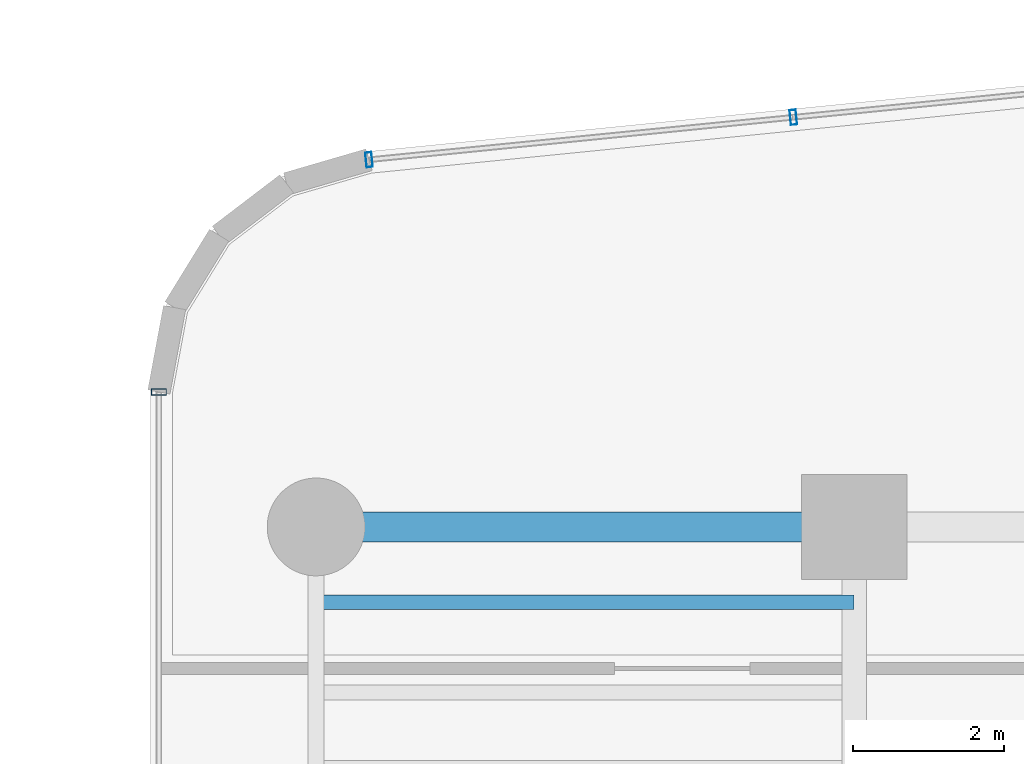
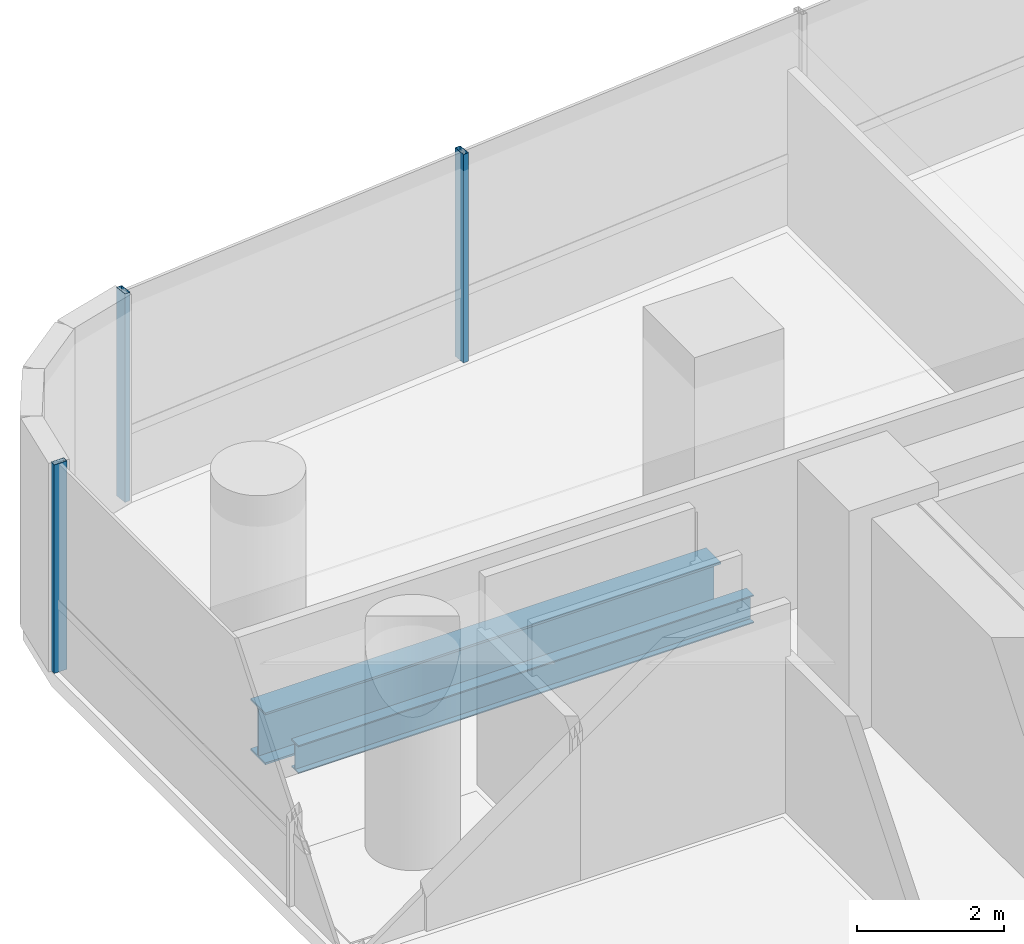
# One storey, part 18 of 41: 3 members, 2 beams, 2 elements without a shape of their own.
"""IFC4 building model written with IfcOpenShell, lengths in metres."""

from ifc_helpers import new_model, si_unit, direction, frame, origin, origin_2d, place, context, subcontext, project, spatial, hollow_rectangle, i_section, extrude, source, transform, mapped, material, material_profile, profile_set, type_object, element, aggregate, save


model = new_model("IFC4")

# Units and contexts
model_context = context("Model", 3, precision=1e-05, world=origin(), true_north=direction((0.0, 1.0)))
body_context = subcontext(model_context, "Body", "Model", "MODEL_VIEW")
ifc_project = project(units=[si_unit("LENGTHUNIT", "METRE"), si_unit("AREAUNIT", "SQUARE_METRE"), si_unit("VOLUMEUNIT", "CUBIC_METRE"), si_unit("PLANEANGLEUNIT", "RADIAN"), si_unit("MASSUNIT", "GRAM", prefix="KILO")], contexts=[model_context])

# Site, building, storey
site_placement = place(None, origin())
site = spatial("IfcSite", under=ifc_project, at=site_placement, CompositionType="ELEMENT")
building_placement = place(site_placement, origin())
building = spatial("IfcBuilding", under=site, at=building_placement, Name="Valdorenza Pilgrim Sanctuary Tower", CompositionType="ELEMENT")
storey_placement = place(building_placement, frame((0.0, 0.0, 63.0)))
storey = spatial("IfcBuildingStorey", under=building, at=storey_placement, Name="L15", CompositionType="ELEMENT", Elevation=63.0)

# Beams
ifc_material_1 = material(Name="Steel ASTM A992 Grade 50", Category="steel")
ifc_material_profile_1 = material_profile(ifc_material_1, i_section(OverallWidth=0.193115234375, OverallDepth=0.466064453125, WebThickness=0.011474609375, FlangeThickness=0.01904296875, at=origin_2d()), Name="W18X65")
ifc_profile_set_1 = profile_set([ifc_material_profile_1], Name="Steel ASTM A992 Grade 50")
beam_type_1 = type_object("IfcBeamType", Name="STR-BM-JST-W18A", PredefinedType="JOIST", material=ifc_profile_set_1)
shared_shape_1 = source(origin(), body_context, "Body", "SweptSolid", [
    extrude(i_section(OverallWidth=0.193115234375, OverallDepth=0.466064453125, WebThickness=0.011474609375, FlangeThickness=0.01904296875, at=origin_2d()), origin(), (0.0, 0.0, 1.0), 7.150146484375),
])
beam_1_placement = place(storey_placement, frame((-29.800048828125, 13.800048828125, -0.472900390625), z_axis=(1.0, 0.0, 0.0), x_axis=(0.0, 1.0, 0.0)))
element("IfcBeam", 1, at=beam_1_placement, inside=storey, type_object=beam_type_1, Name="L15 Composite Floor Joist JST-WA-26", PredefinedType="JOIST", context=body_context, shape_type="MappedRepresentation", body=[
    mapped(shared_shape_1, transform((0.0, 0.0, 0.0), x_axis=(1.0, 0.0, 0.0), y_axis=(0.0, 1.0, 0.0), z_axis=(0.0, 0.0, 1.0), scale=1.0)),
])
ifc_material_profile_2 = material_profile(ifc_material_1, i_section(OverallWidth=0.39990234375, OverallDepth=0.862060546875, WebThickness=0.019775390625, FlangeThickness=0.032470703125, at=origin_2d()), Name="W33X221")
ifc_profile_set_2 = profile_set([ifc_material_profile_2], Name="Steel ASTM A992 Grade 50")
beam_type_2 = type_object("IfcBeamType", Name="STR-BM-GRD-W33", PredefinedType="BEAM", material=ifc_profile_set_2)
shared_shape_2 = source(origin(), body_context, "Body", "SweptSolid", [
    extrude(i_section(OverallWidth=0.39990234375, OverallDepth=0.862060546875, WebThickness=0.019775390625, FlangeThickness=0.032470703125, at=origin_2d()), origin(), (0.0, 0.0, 1.0), 7.150146484375),
])
beam_2_placement = place(storey_placement, frame((-29.800048828125, 14.800048828125, -0.6708984375), z_axis=(1.0, 0.0, 0.0), x_axis=(0.0, 1.0, 0.0)))
element("IfcBeam", 2, at=beam_2_placement, inside=storey, type_object=beam_type_2, Name="L15 Floor Girder WA-XW-N2", PredefinedType="BEAM", context=body_context, shape_type="MappedRepresentation", body=[
    mapped(shared_shape_2, transform((0.0, 0.0, 0.0), x_axis=(1.0, 0.0, 0.0), y_axis=(0.0, 1.0, 0.0), z_axis=(0.0, 0.0, 1.0), scale=1.0)),
])

# Curtain wall, member
ifc_material_2 = material(Name="Curtain-wall IGU glazing", Category="glass")
curtain_wall_type = type_object("IfcCurtainWallType", Name="CW-SYS-02", PredefinedType="NOTDEFINED", material=ifc_material_2)
curtain_wall_1_placement = place(storey_placement, origin())
curtain_wall_1 = element("IfcCurtainWall", 3, at=curtain_wall_1_placement, inside=storey, type_object=curtain_wall_type, Name="L15 Curtain Wall CW-L15-1-1S2", PredefinedType="NOTDEFINED")
ifc_material_3 = material(Name="Anodised aluminium AW-6060", Category="aluminium")
ifc_material_profile_3 = material_profile(ifc_material_3, hollow_rectangle(XDim=0.0849609375, YDim=0.199951171875, WallThickness=0.0048828125, at=origin_2d()), Name="ALU-M 200x85x5")
ifc_profile_set_3 = profile_set([ifc_material_profile_3], Name="Anodised aluminium AW-6060")
member_type = type_object("IfcMemberType", Name="CW-MUL-02", PredefinedType="MULLION", material=ifc_profile_set_3)
shared_shape_3 = source(origin(), body_context, "Body", "SweptSolid", [
    extrude(hollow_rectangle(XDim=0.0849609375, YDim=0.199951171875, WallThickness=0.0048828125, at=origin_2d()), origin(), (0.0, 0.0, 1.0), 3.4599609375),
])
member_1_placement = place(storey_placement, frame((-31.889892578125, 16.593994140625, 0.0), z_axis=(0.0, 0.0, 1.0), x_axis=(0.0, 1.0, 0.0)))
member_1 = element("IfcMember", 4, at=member_1_placement, type_object=member_type, Name="CW-L15-1-1S2 Mullion 4", PredefinedType="MULLION", context=body_context, shape_type="MappedRepresentation", body=[
    mapped(shared_shape_3, transform((0.0, 0.0, 0.0), x_axis=(1.0, 0.0, 0.0), y_axis=(0.0, 1.0, 0.0), z_axis=(0.0, 0.0, 1.0), scale=1.0)),
])
aggregate(curtain_wall_1, [member_1])

# Curtain wall, members
curtain_wall_2_placement = place(storey_placement, origin())
curtain_wall_2 = element("IfcCurtainWall", 5, at=curtain_wall_2_placement, inside=storey, type_object=curtain_wall_type, Name="L15 Curtain Wall CW-L15-1-6", PredefinedType="NOTDEFINED")
member_2_placement = place(storey_placement, frame((-29.097412109375, 19.6796875, 0.0), z_axis=(0.0, 0.0, 1.0), x_axis=(0.995038220239, 0.099493418189, 0.0)))
member_2 = element("IfcMember", 6, at=member_2_placement, type_object=member_type, Name="CW-L15-1-6 Mullion 1", PredefinedType="MULLION", context=body_context, shape_type="MappedRepresentation", body=[
    mapped(shared_shape_3, transform((0.0, 0.0, 0.0), x_axis=(1.0, 0.0, 0.0), y_axis=(0.0, 1.0, 0.0), z_axis=(0.0, 0.0, 1.0), scale=1.0)),
])
member_3_placement = place(storey_placement, frame((-23.458984375, 20.24365234375, 0.0), z_axis=(0.0, 0.0, 1.0), x_axis=(0.995038220239, 0.099493418189, 0.0)))
member_3 = element("IfcMember", 7, at=member_3_placement, type_object=member_type, Name="CW-L15-1-6 Mullion 2", PredefinedType="MULLION", context=body_context, shape_type="MappedRepresentation", body=[
    mapped(shared_shape_3, transform((0.0, 0.0, 0.0), x_axis=(1.0, 0.0, 0.0), y_axis=(0.0, 1.0, 0.0), z_axis=(0.0, 0.0, 1.0), scale=1.0)),
])
aggregate(curtain_wall_2, [member_2, member_3])

save(model, "model.ifc")
